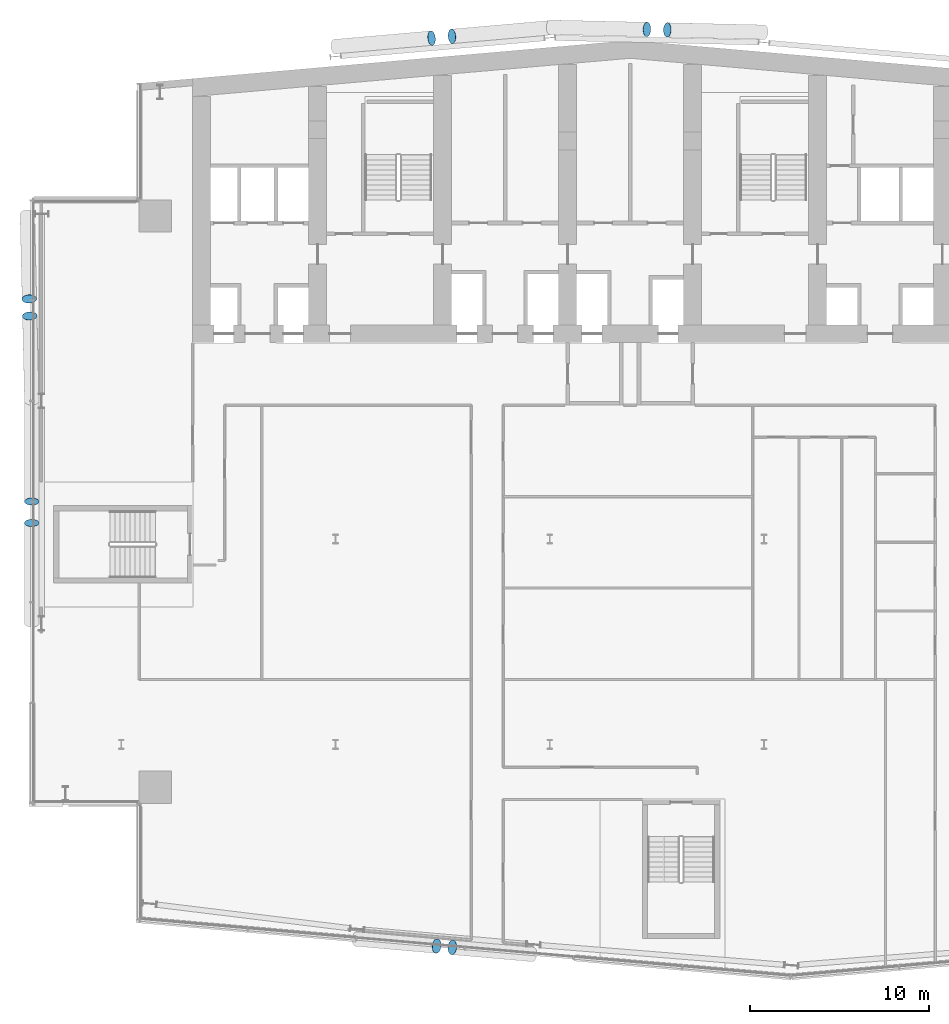
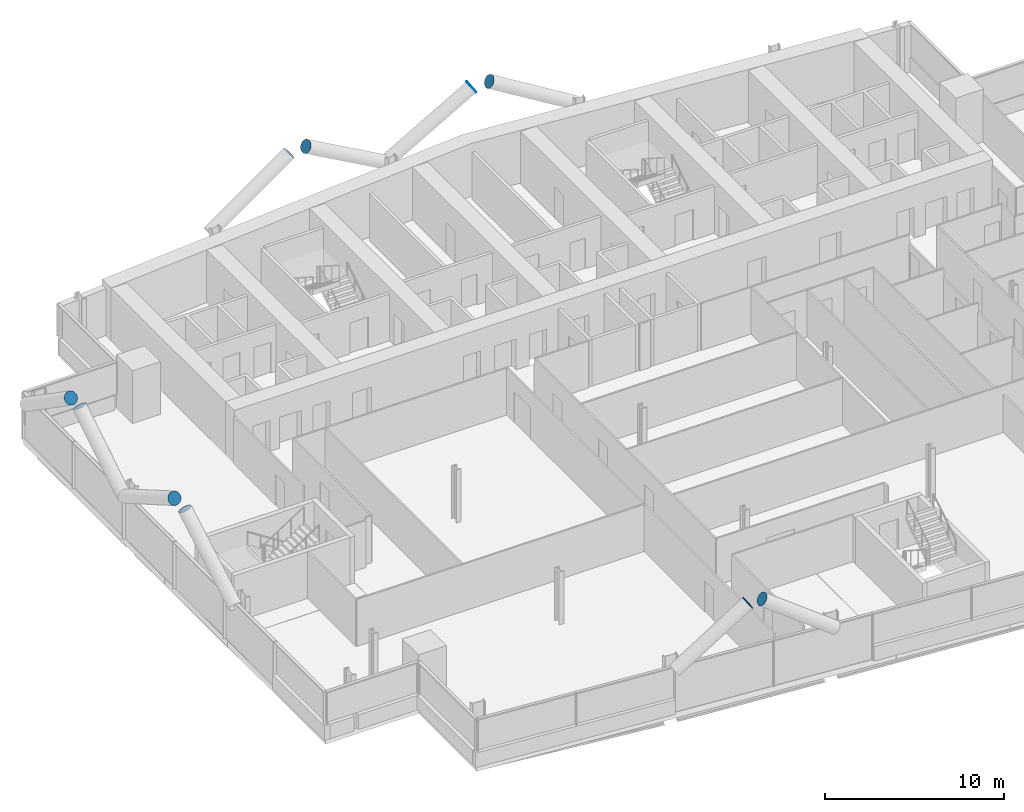
# One storey, part 21 of 26: 10 discrete accessories.
"""IFC4 building model written with IfcOpenShell, lengths in metres."""

from ifc_helpers import new_model, si_unit, direction, frame, origin, origin_2d, place, context, subcontext, project, spatial, circle, extrude, material, material_profile, profile_set, type_object, element, save


model = new_model("IFC4")

# Units and contexts
model_context = context("Model", 3, precision=1e-05, world=origin(), true_north=direction((0.0, 1.0)))
body_context = subcontext(model_context, "Body", "Model", "MODEL_VIEW")
ifc_project = project(units=[si_unit("LENGTHUNIT", "METRE"), si_unit("AREAUNIT", "SQUARE_METRE"), si_unit("VOLUMEUNIT", "CUBIC_METRE"), si_unit("PLANEANGLEUNIT", "RADIAN"), si_unit("MASSUNIT", "GRAM", prefix="KILO")], contexts=[model_context])

# Site, building, storey
site_placement = place(None, origin())
site = spatial("IfcSite", under=ifc_project, at=site_placement, CompositionType="ELEMENT")
building_placement = place(site_placement, origin())
building = spatial("IfcBuilding", under=site, at=building_placement, Name="Wharfspan Tower", CompositionType="ELEMENT")
storey_placement = place(building_placement, frame((0.0, 0.0, 114.699951)))
storey = spatial("IfcBuildingStorey", under=building, at=storey_placement, Name="L26", CompositionType="ELEMENT", Elevation=114.699951)

# Discrete accessories
ifc_material = material(Name="Steel S460NH", Category="steel")
ifc_material_profile = material_profile(ifc_material, circle(Radius=0.406494, at=origin_2d()))
ifc_profile_set = profile_set([ifc_material_profile], Name="Steel S460NH")
discrete_accessory_type = type_object("IfcDiscreteAccessoryType", Name="End plate CHS 813x40", PredefinedType="BRACKET", material=ifc_profile_set)
for number, where, z_axis, x_axis, name in (
    (1, (29.654785, 0.202881, 6.173096), (0.806559, -0.073324, 0.586588), (0.090536, 0.99589, 0.0), "End plate CHS 813x40"),
    (2, (30.551514, 0.124512, 6.173096), (-0.806559, 0.073324, 0.586588), (-0.090536, -0.99589, 0.0), "End plate CHS 813x40"),
):
    element("IfcDiscreteAccessory", number, at=place(storey_placement, frame(where, z_axis=z_axis, x_axis=x_axis)), inside=storey, type_object=discrete_accessory_type, Name=name, PredefinedType="BRACKET", context=body_context, shape_type="SweptSolid", body=[
        extrude(circle(Radius=0.406494, at=origin_2d()), origin(), (0.0, 0.0, 1.0), 0.01001),
    ])
for number, where, z_axis, x_axis, name in (
    (3, (6.985107, 25.105957, 6.150146), (0.0, -0.868243, 0.496139), (1.0, 0.0, 0.0), "End plate CHS 813x40"),
    (4, (6.985107, 23.894043, 6.150146), (0.0, 0.868243, 0.496139), (-1.0, 0.0, 0.0), "End plate CHS 813x40"),
    (5, (6.8479, 36.455078, 6.166992), (0.024853, -0.820145, 0.571616), (0.999542, 0.03029, 1e-06), "End plate CHS 813x40"),
):
    element("IfcDiscreteAccessory", number, at=place(storey_placement, frame(where, z_axis=z_axis, x_axis=x_axis)), inside=storey, type_object=discrete_accessory_type, Name=name, PredefinedType="BRACKET", context=body_context, shape_type="SweptSolid", body=[
        extrude(circle(Radius=0.406494, at=origin_2d()), origin(), (0.0, 0.0, 1.0), 0.009766),
    ])
for number, where, z_axis, x_axis, name in (
    (6, (6.871094, 35.486084, 6.166992), (-0.024354, 0.828038, 0.560143), (-0.999568, -0.029399, 0.0), "End plate CHS 813x40"),
    (7, (41.435059, 51.541504, 6.153564), (0.857236, -0.024492, 0.514341), (0.028558, 0.999591, 2e-06), "End plate CHS 813x40"),
    (8, (42.590332, 51.514893, 6.153564), (-0.857236, 0.024492, 0.514341), (-0.028558, -0.999591, 2e-06), "End plate CHS 813x40"),
    (9, (29.373291, 51.05542, 6.153076), (0.853405, 0.097532, 0.512043), (-0.113547, 0.993531, 1e-06), "End plate CHS 813x40"),
    (10, (30.529785, 51.156738, 6.153076), (-0.855186, -0.073302, 0.513112), (0.085402, -0.996345, 1e-06), "End plate CHS 813x40"),
):
    element("IfcDiscreteAccessory", number, at=place(storey_placement, frame(where, z_axis=z_axis, x_axis=x_axis)), inside=storey, type_object=discrete_accessory_type, Name=name, PredefinedType="BRACKET", context=body_context, shape_type="SweptSolid", body=[
        extrude(circle(Radius=0.406494, at=origin_2d()), origin(), (0.0, 0.0, 1.0), 0.01001),
    ])

save(model, "model.ifc")
